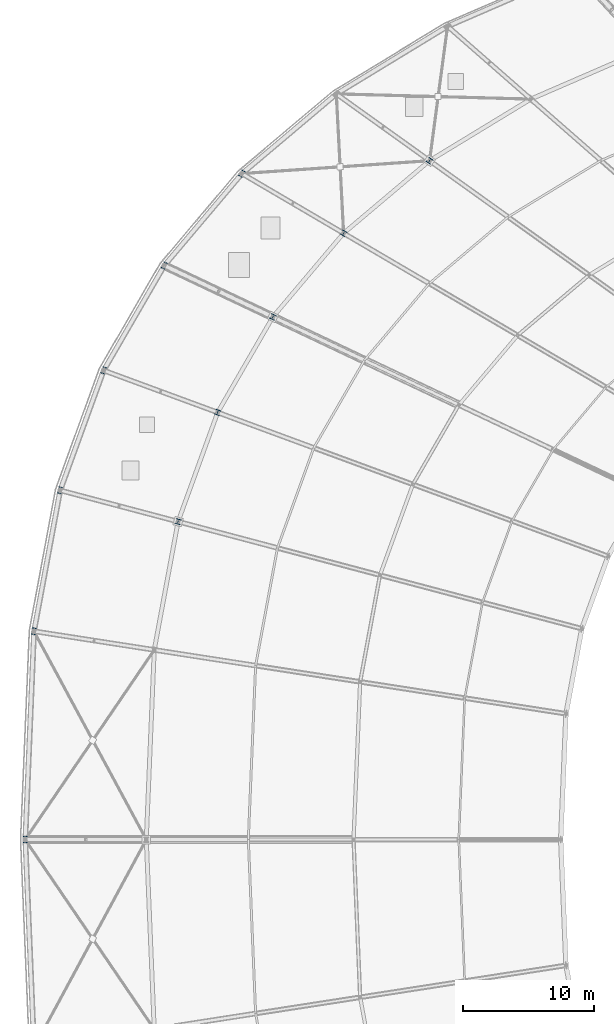
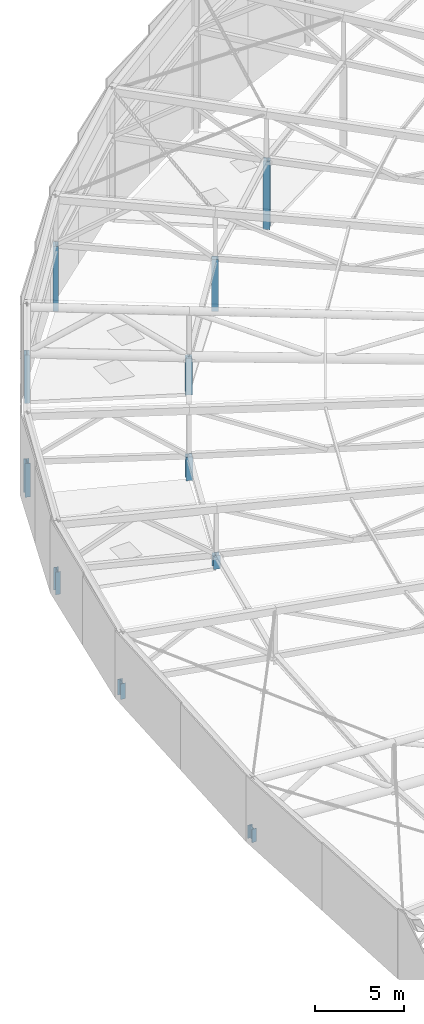
# One storey, part 6 of 143: 11 columns.
"""IFC4 building model written with IfcOpenShell, lengths in metres."""

from ifc_helpers import new_model, si_unit, direction, frame, origin, origin_2d, place, context, subcontext, project, spatial, i_section, extrude, material, material_profile, profile_set, type_object, element, save


model = new_model("IFC4")

# Units and contexts
model_context = context("Model", 3, precision=1e-05, world=origin(), true_north=direction((0.0, 1.0)))
body_context = subcontext(model_context, "Body", "Model", "MODEL_VIEW")
ifc_project = project(units=[si_unit("LENGTHUNIT", "METRE"), si_unit("AREAUNIT", "SQUARE_METRE"), si_unit("VOLUMEUNIT", "CUBIC_METRE"), si_unit("PLANEANGLEUNIT", "RADIAN"), si_unit("MASSUNIT", "GRAM", prefix="KILO")], contexts=[model_context])

# Site, building, storey
site_placement = place(None, origin())
site = spatial("IfcSite", under=ifc_project, at=site_placement, CompositionType="ELEMENT")
building_placement = place(site_placement, origin())
building = spatial("IfcBuilding", under=site, at=building_placement, Name="Mphavela Belvedere Stadium", CompositionType="ELEMENT")
storey_placement = place(building_placement, frame((0.0, 0.0, 28.800048828125)))
storey = spatial("IfcBuildingStorey", under=building, at=storey_placement, Name="RF", CompositionType="ELEMENT", Elevation=28.800048828125)

# Columns
ifc_material_1 = material(Name="Steel S355", Category="steel")
ifc_material_profile_1 = material_profile(ifc_material_1, i_section(OverallWidth=0.39501953125, OverallDepth=0.3798828125, WebThickness=0.0166015625, FlangeThickness=0.02587890625, at=origin_2d()), Name="HD 400x237")
ifc_profile_set_1 = profile_set([ifc_material_profile_1], Name="Steel S355")
column_type_1 = type_object("IfcColumnType", Name="COL-STEEL-HD400", PredefinedType="COLUMN", material=ifc_profile_set_1)
column_1_placement = place(storey_placement, frame((42.938720703125, 138.631591796875, 0.0), z_axis=(0.0, 0.0, 1.0), x_axis=(-0.812897512265, 0.582406760395, 0.0)))
element("IfcColumn", 1, at=column_1_placement, inside=storey, type_object=column_type_1, Name="Roof truss inner support column RF R3-19", PredefinedType="COLUMN", context=body_context, shape_type="SweptSolid", body=[
    extrude(i_section(OverallWidth=0.39501953125, OverallDepth=0.3798828125, WebThickness=0.0166015625, FlangeThickness=0.02587890625, at=origin_2d()), origin(), (0.0, 0.0, 1.0), 4.701171875),
])
column_2_placement = place(storey_placement, frame((36.399658203125, 133.11376953125, 0.0), z_axis=(0.0, 0.0, 1.0), x_axis=(-0.862513669207, 0.506033764121, 0.0)))
element("IfcColumn", 2, at=column_2_placement, inside=storey, type_object=column_type_1, Name="Roof truss inner support column RF R3-20", PredefinedType="COLUMN", context=body_context, shape_type="SweptSolid", body=[
    extrude(i_section(OverallWidth=0.39501953125, OverallDepth=0.3798828125, WebThickness=0.0166015625, FlangeThickness=0.02587890625, at=origin_2d()), origin(), (0.0, 0.0, 1.0), 3.5703125),
])
column_3_placement = place(storey_placement, frame((31.0244140625, 126.748291015625, 0.0), z_axis=(0.0, 0.0, 1.0), x_axis=(-0.903858661687, 0.4278311813, 0.0)))
element("IfcColumn", 3, at=column_3_placement, inside=storey, type_object=column_type_1, Name="Roof truss inner support column RF R3-21", PredefinedType="COLUMN", context=body_context, shape_type="SweptSolid", body=[
    extrude(i_section(OverallWidth=0.39501953125, OverallDepth=0.3798828125, WebThickness=0.0166015625, FlangeThickness=0.02587890625, at=origin_2d()), origin(), (0.0, 0.0, 1.0), 2.516357421875),
])
column_4_placement = place(storey_placement, frame((26.824462890625, 119.484375, 0.0), z_axis=(0.0, 0.0, 1.0), x_axis=(-0.938372433776, 0.34562577382, 0.0)))
element("IfcColumn", 4, at=column_4_placement, inside=storey, type_object=column_type_1, Name="Roof truss inner support column RF R3-22", PredefinedType="COLUMN", context=body_context, shape_type="SweptSolid", body=[
    extrude(i_section(OverallWidth=0.39501953125, OverallDepth=0.3798828125, WebThickness=0.0166015625, FlangeThickness=0.02587890625, at=origin_2d()), origin(), (0.0, 0.0, 1.0), 1.611328125),
])
column_5_placement = place(storey_placement, frame((23.8125, 111.181884765625, 0.0), z_axis=(0.0, 0.0, 1.0), x_axis=(-0.966600102017, 0.256289373133, 0.0)))
element("IfcColumn", 5, at=column_5_placement, inside=storey, type_object=column_type_1, Name="Roof truss inner support column RF R3-23", PredefinedType="COLUMN", context=body_context, shape_type="SweptSolid", body=[
    extrude(i_section(OverallWidth=0.39501953125, OverallDepth=0.3798828125, WebThickness=0.0166015625, FlangeThickness=0.02587890625, at=origin_2d()), origin(), (0.0, 0.0, 1.0), 0.916748046875),
])
ifc_material_2 = material(Name="Steel S355", Category="steel")
ifc_material_profile_2 = material_profile(ifc_material_2, i_section(OverallWidth=0.300048828125, OverallDepth=0.5, WebThickness=0.014404296875, FlangeThickness=0.028076171875, at=origin_2d()), Name="HEB 500")
ifc_profile_set_2 = profile_set([ifc_material_profile_2], Name="Steel S355")
column_type_2 = type_object("IfcColumnType", Name="COL-STEEL-HEB500", PredefinedType="COLUMN", material=ifc_profile_set_2)
column_6_placement = place(storey_placement, frame((28.66162109375, 137.653564453125, 0.0), z_axis=(0.0, 0.0, 1.0), x_axis=(-0.862513669207, 0.506033764121, 0.0)))
element("IfcColumn", 6, at=column_6_placement, inside=storey, type_object=column_type_2, Name="Roof truss outer tie-down column RF R4-20", PredefinedType="COLUMN", context=body_context, shape_type="SweptSolid", body=[
    extrude(i_section(OverallWidth=0.300048828125, OverallDepth=0.5, WebThickness=0.014404296875, FlangeThickness=0.028076171875, at=origin_2d()), origin(), (0.0, 0.0, 1.0), 4.46875),
])
column_7_placement = place(storey_placement, frame((22.757568359375, 130.66162109375, 0.0), z_axis=(0.0, 0.0, 1.0), x_axis=(-0.903858661687, 0.4278311813, 0.0)))
element("IfcColumn", 7, at=column_7_placement, inside=storey, type_object=column_type_2, Name="Roof truss outer tie-down column RF R4-21", PredefinedType="COLUMN", context=body_context, shape_type="SweptSolid", body=[
    extrude(i_section(OverallWidth=0.300048828125, OverallDepth=0.5, WebThickness=0.014404296875, FlangeThickness=0.028076171875, at=origin_2d()), origin(), (0.0, 0.0, 1.0), 3.31103515625),
])
column_8_placement = place(storey_placement, frame((18.143798828125, 122.682373046875, 0.0), z_axis=(0.0, 0.0, 1.0), x_axis=(-0.938372433776, 0.34562577382, 0.0)))
element("IfcColumn", 8, at=column_8_placement, inside=storey, type_object=column_type_2, Name="Roof truss outer tie-down column RF R4-22", PredefinedType="COLUMN", context=body_context, shape_type="SweptSolid", body=[
    extrude(i_section(OverallWidth=0.300048828125, OverallDepth=0.5, WebThickness=0.014404296875, FlangeThickness=0.028076171875, at=origin_2d()), origin(), (0.0, 0.0, 1.0), 2.31689453125),
])
column_9_placement = place(storey_placement, frame((14.83544921875, 113.5625, 0.0), z_axis=(0.0, 0.0, 1.0), x_axis=(-0.966600102017, 0.256289373133, 0.0)))
element("IfcColumn", 9, at=column_9_placement, inside=storey, type_object=column_type_2, Name="Roof truss outer tie-down column RF R4-23", PredefinedType="COLUMN", context=body_context, shape_type="SweptSolid", body=[
    extrude(i_section(OverallWidth=0.300048828125, OverallDepth=0.5, WebThickness=0.014404296875, FlangeThickness=0.028076171875, at=origin_2d()), origin(), (0.0, 0.0, 1.0), 1.553955078125),
])
column_10_placement = place(storey_placement, frame((12.844482421875, 102.844970703125, 0.0), z_axis=(0.0, 0.0, 1.0), x_axis=(-0.98817491911, 0.153330783737, 0.0)))
element("IfcColumn", 10, at=column_10_placement, inside=storey, type_object=column_type_2, Name="Roof truss outer tie-down column RF R4-24", PredefinedType="COLUMN", context=body_context, shape_type="SweptSolid", body=[
    extrude(i_section(OverallWidth=0.300048828125, OverallDepth=0.5, WebThickness=0.014404296875, FlangeThickness=0.028076171875, at=origin_2d()), origin(), (0.0, 0.0, 1.0), 1.074462890625),
])
column_11_placement = place(storey_placement, frame((12.179931640625, 87.0, 0.0), z_axis=(0.0, 0.0, 1.0), x_axis=(-1.0, 0.0, 0.0)))
element("IfcColumn", 11, at=column_11_placement, inside=storey, type_object=column_type_2, Name="Roof truss outer tie-down column RF R4-25", PredefinedType="COLUMN", context=body_context, shape_type="SweptSolid", body=[
    extrude(i_section(OverallWidth=0.300048828125, OverallDepth=0.5, WebThickness=0.014404296875, FlangeThickness=0.028076171875, at=origin_2d()), origin(), (0.0, 0.0, 1.0), 0.910888671875),
])

save(model, "model.ifc")
